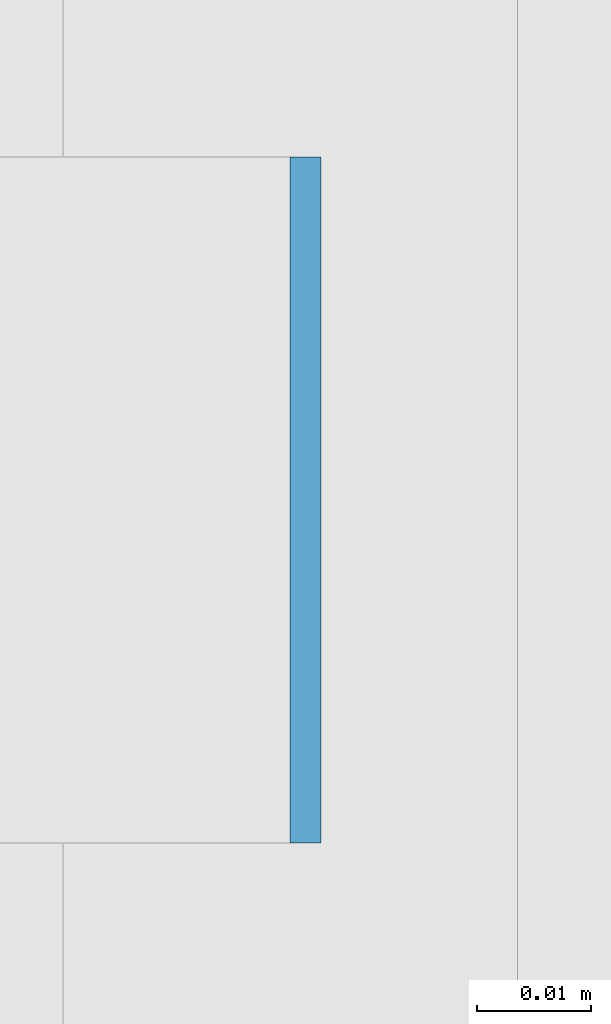
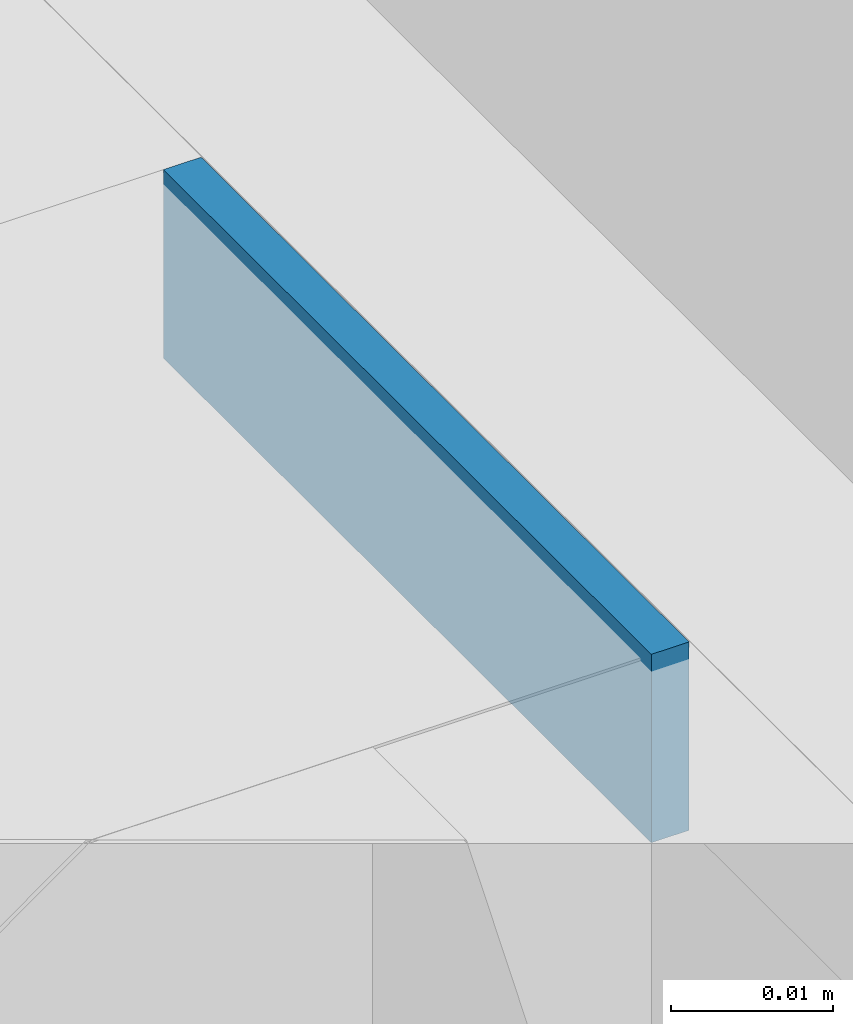
# One storey, part 259 of 646: 1 discrete accessory.
"""IFC4 building model written with IfcOpenShell, lengths in metres."""

from ifc_helpers import new_model, si_unit, direction, frame, origin, origin_2d, place, context, subcontext, project, spatial, rectangle, extrude, material, type_object, element, save


model = new_model("IFC4")

# Units and contexts
model_context = context("Model", 3, precision=1e-05, world=origin(), true_north=direction((0.0, 1.0)))
body_context = subcontext(model_context, "Body", "Model", "MODEL_VIEW")
ifc_project = project(units=[si_unit("LENGTHUNIT", "METRE"), si_unit("AREAUNIT", "SQUARE_METRE"), si_unit("VOLUMEUNIT", "CUBIC_METRE"), si_unit("PLANEANGLEUNIT", "RADIAN"), si_unit("MASSUNIT", "GRAM", prefix="KILO")], contexts=[model_context])

# Site, building, storey
site_placement = place(None, origin())
site = spatial("IfcSite", under=ifc_project, at=site_placement, CompositionType="ELEMENT")
building_placement = place(site_placement, origin())
building = spatial("IfcBuilding", under=site, at=building_placement, Name="Silverbay Arena", CompositionType="ELEMENT")
storey_placement = place(building_placement, frame((0.0, 0.0, 33.5)))
storey = spatial("IfcBuildingStorey", under=building, at=storey_placement, Name="L05", CompositionType="ELEMENT", Elevation=33.5)

# Discrete accessory
ifc_material = material(Name="Steel S355", Category="steel")
discrete_accessory_type = type_object("IfcDiscreteAccessoryType", Name="Steel bracket plate", PredefinedType="BRACKET", material=ifc_material)
discrete_accessory_placement = place(storey_placement, frame((53.871337890625, 39.857177734375, 12.98583984375), z_axis=(0.0, 0.0, 1.0), x_axis=(1.0, 0.0, 0.0)))
element("IfcDiscreteAccessory", 1, at=discrete_accessory_placement, inside=storey, type_object=discrete_accessory_type, Name="Curtain wall packing plate", PredefinedType="BRACKET", context=body_context, shape_type="SweptSolid", body=[
    extrude(rectangle(XDim=0.002685546875, YDim=0.06005859375, at=origin_2d()), origin(), (0.0, 0.0, 1.0), 0.01416015625),
])

save(model, "model.ifc")
